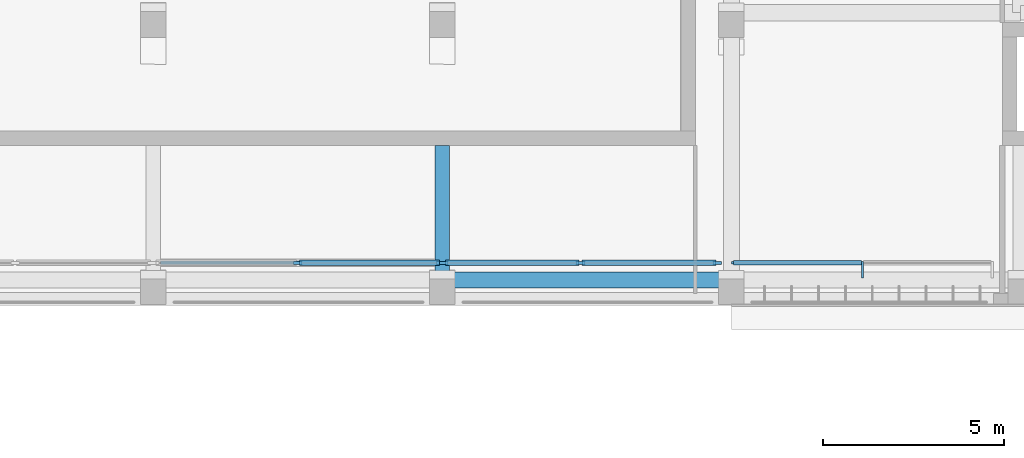
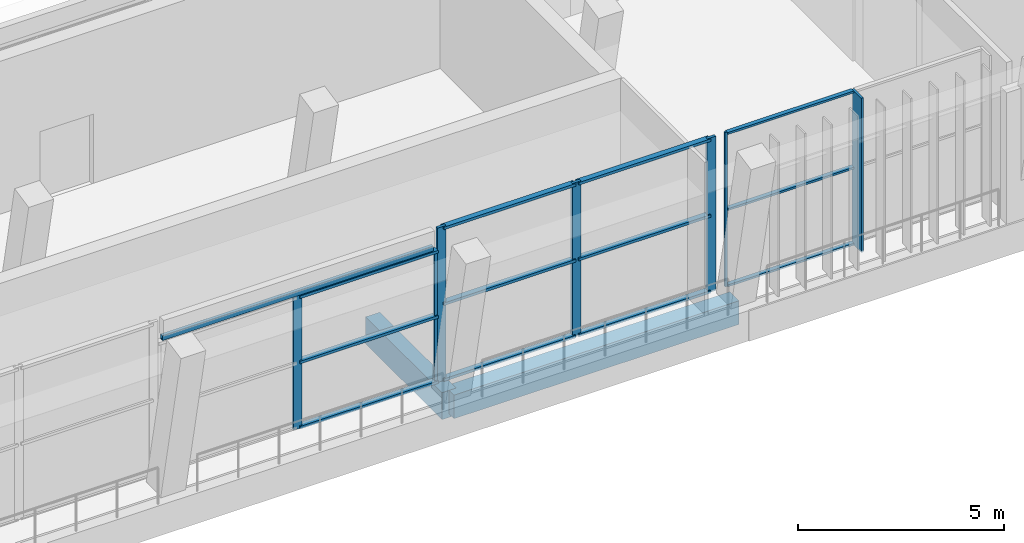
# One storey, part 7 of 74: 19 members, 3 beams, 3 elements without a shape of their own.
"""IFC4 building model written with IfcOpenShell, lengths in metres."""

from ifc_helpers import new_model, si_unit, direction, frame, origin, origin_2d, place, context, subcontext, project, spatial, rectangle, hollow_rectangle, extrude, material, material_profile, profile_set, type_object, element, aggregate, save


model = new_model("IFC4")

# Units and contexts
model_context = context("Model", 3, precision=1e-05, world=origin(), true_north=direction((0.0, 1.0)))
body_context = subcontext(model_context, "Body", "Model", "MODEL_VIEW")
ifc_project = project(units=[si_unit("LENGTHUNIT", "METRE"), si_unit("AREAUNIT", "SQUARE_METRE"), si_unit("VOLUMEUNIT", "CUBIC_METRE"), si_unit("PLANEANGLEUNIT", "RADIAN"), si_unit("MASSUNIT", "GRAM", prefix="KILO")], contexts=[model_context])

# Site, building, storey
site_placement = place(None, origin())
site = spatial("IfcSite", under=ifc_project, at=site_placement, CompositionType="ELEMENT")
building_placement = place(site_placement, origin())
building = spatial("IfcBuilding", under=site, at=building_placement, Name="Lantern Court Media Centre", CompositionType="ELEMENT")
storey_placement = place(building_placement, frame((0.0, 0.0, 19.199951171875)))
storey = spatial("IfcBuildingStorey", under=building, at=storey_placement, Name="L04", CompositionType="ELEMENT", Elevation=19.199951171875)

# Curtain wall, members
ifc_material_1 = material(Name="Curtain wall bay 3000")
curtain_wall_type_1 = type_object("IfcCurtainWallType", Name="Curtain wall bay 3000", PredefinedType="NOTDEFINED", material=ifc_material_1)
curtain_wall_1_placement = place(storey_placement, origin())
curtain_wall_1 = element("IfcCurtainWall", 1, at=curtain_wall_1_placement, inside=storey, type_object=curtain_wall_type_1, Name="Curtain wall S outer L04", PredefinedType="NOTDEFINED")
ifc_material_2 = material(Name="Anodised aluminium", Category="aluminium")
ifc_material_profile_1 = material_profile(ifc_material_2, rectangle(XDim=0.449951171875, YDim=0.06005859375, at=origin_2d()), Name="AL 60x450")
ifc_profile_set_1 = profile_set([ifc_material_profile_1], Name="Anodised aluminium")
member_type_1 = type_object("IfcMemberType", Name="Curtain wall mullion 60x450", PredefinedType="MULLION", material=ifc_profile_set_1)
member_1_placement = place(storey_placement, frame((67.625, 44.955078125, 0.0), z_axis=(0.0, 0.0, 1.0), x_axis=(0.0, 1.0, 0.0)))
member_1 = element("IfcMember", 2, at=member_1_placement, type_object=member_type_1, Name="CW1 mullion 2", PredefinedType="MULLION", context=body_context, shape_type="SweptSolid", body=[
    extrude(rectangle(XDim=0.449951171875, YDim=0.06005859375, at=origin_2d()), origin(), (0.0, 0.0, 1.0), 4.580078125),
])
ifc_material_profile_2 = material_profile(ifc_material_2, rectangle(XDim=0.06005859375, YDim=0.06005859375, at=origin_2d()), Name="AL 60x60")
ifc_profile_set_2 = profile_set([ifc_material_profile_2], Name="Anodised aluminium")
member_type_2 = type_object("IfcMemberType", Name="Curtain wall mullion 60x60", PredefinedType="MULLION", material=ifc_profile_set_2)
member_2_placement = place(storey_placement, frame((64.030029296875, 45.14990234375, 0.0), z_axis=(0.0, 0.0, 1.0), x_axis=(0.0, 1.0, 0.0)))
member_2 = element("IfcMember", 3, at=member_2_placement, type_object=member_type_2, Name="CW1 mullion 1", PredefinedType="MULLION", context=body_context, shape_type="SweptSolid", body=[
    extrude(rectangle(XDim=0.06005859375, YDim=0.06005859375, at=origin_2d()), origin(), (0.0, 0.0, 1.0), 4.580078125),
])

ifc_material_3 = material(Name="Curtain wall bay 4000")
curtain_wall_type_2 = type_object("IfcCurtainWallType", Name="Curtain wall bay 4000", PredefinedType="NOTDEFINED", material=ifc_material_3)
curtain_wall_2_placement = place(storey_placement, origin())
curtain_wall_2 = element("IfcCurtainWall", 4, at=curtain_wall_2_placement, inside=storey, type_object=curtain_wall_type_2, Name="Curtain wall S outer L04", PredefinedType="NOTDEFINED")
ifc_material_profile_3 = material_profile(ifc_material_2, rectangle(XDim=0.080078125, YDim=0.239990234375, at=origin_2d()), Name="AL 80x240")
ifc_profile_set_3 = profile_set([ifc_material_profile_3], Name="Anodised aluminium")
member_type_3 = type_object("IfcMemberType", Name="Curtain wall mullion 80x240", PredefinedType="MULLION", material=ifc_profile_set_3)
member_3_placement = place(storey_placement, frame((52.0, 45.14990234375, 0.0), z_axis=(0.0, 0.0, 1.0), x_axis=(0.0, 1.0, 0.0)))
member_3 = element("IfcMember", 5, at=member_3_placement, type_object=member_type_3, Name="CW3 mullion 2", PredefinedType="MULLION", context=body_context, shape_type="SweptSolid", body=[
    extrude(rectangle(XDim=0.080078125, YDim=0.239990234375, at=origin_2d()), origin(), (0.0, 0.0, 1.0), 3.949951171875),
])
member_4_placement = place(storey_placement, frame((55.9599609375, 45.14990234375, 0.0), z_axis=(0.0, 0.0, 1.0), x_axis=(0.0, 1.0, 0.0)))
member_4 = element("IfcMember", 6, at=member_4_placement, type_object=member_type_3, Name="CW3 mullion 3", PredefinedType="MULLION", context=body_context, shape_type="SweptSolid", body=[
    extrude(rectangle(XDim=0.080078125, YDim=0.239990234375, at=origin_2d()), origin(), (0.0, 0.0, 1.0), 3.949951171875),
])

curtain_wall_3_placement = place(storey_placement, origin())
curtain_wall_3 = element("IfcCurtainWall", 7, at=curtain_wall_3_placement, inside=storey, type_object=curtain_wall_type_2, Name="Curtain wall S outer L04", PredefinedType="NOTDEFINED")
member_5_placement = place(storey_placement, frame((56.0400390625, 45.14990234375, 0.0), z_axis=(0.0, 0.0, 1.0), x_axis=(0.0, 1.0, 0.0)))
member_5 = element("IfcMember", 8, at=member_5_placement, type_object=member_type_3, Name="CW3 mullion 1", PredefinedType="MULLION", context=body_context, shape_type="SweptSolid", body=[
    extrude(rectangle(XDim=0.080078125, YDim=0.239990234375, at=origin_2d()), origin(), (0.0, 0.0, 1.0), 4.580078125),
])
member_6_placement = place(storey_placement, frame((59.824951171875, 45.14990234375, 0.0), z_axis=(0.0, 0.0, 1.0), x_axis=(0.0, 1.0, 0.0)))
member_6 = element("IfcMember", 9, at=member_6_placement, type_object=member_type_3, Name="CW3 mullion 2", PredefinedType="MULLION", context=body_context, shape_type="SweptSolid", body=[
    extrude(rectangle(XDim=0.080078125, YDim=0.239990234375, at=origin_2d()), origin(), (0.0, 0.0, 1.0), 4.580078125),
])
member_7_placement = place(storey_placement, frame((63.610107421875, 45.14990234375, 0.0), z_axis=(0.0, 0.0, 1.0), x_axis=(0.0, 1.0, 0.0)))
member_7 = element("IfcMember", 10, at=member_7_placement, type_object=member_type_3, Name="CW3 mullion 3", PredefinedType="MULLION", context=body_context, shape_type="SweptSolid", body=[
    extrude(rectangle(XDim=0.080078125, YDim=0.239990234375, at=origin_2d()), origin(), (0.0, 0.0, 1.0), 4.580078125),
])

# Member
ifc_material_profile_4 = material_profile(ifc_material_2, rectangle(XDim=0.159912109375, YDim=0.080078125, at=origin_2d()), Name="AL 80x160")
ifc_profile_set_4 = profile_set([ifc_material_profile_4], Name="Anodised aluminium")
member_type_4 = type_object("IfcMemberType", Name="Curtain wall transom 160x80", PredefinedType="USERDEFINED", material=ifc_profile_set_4)
member_8_placement = place(storey_placement, frame((52.0400390625, 45.14990234375, 0.0400390625), z_axis=(1.0, 0.0, 0.0), x_axis=(0.0, 1.0, 0.0)))
member_8 = element("IfcMember", 11, at=member_8_placement, type_object=member_type_4, Name="CW3 transom 2.1", ObjectType="TRANSOM", PredefinedType="USERDEFINED", context=body_context, shape_type="SweptSolid", body=[
    extrude(rectangle(XDim=0.159912109375, YDim=0.080078125, at=origin_2d()), origin(), (0.0, 0.0, 1.0), 3.8798828125),
])

member_9_placement = place(storey_placement, frame((52.0400390625, 45.14990234375, 1.97509765625), z_axis=(1.0, 0.0, 0.0), x_axis=(0.0, 1.0, 0.0)))
member_9 = element("IfcMember", 12, at=member_9_placement, type_object=member_type_4, Name="CW3 transom 2.2", ObjectType="TRANSOM", PredefinedType="USERDEFINED", context=body_context, shape_type="SweptSolid", body=[
    extrude(rectangle(XDim=0.159912109375, YDim=0.080078125, at=origin_2d()), origin(), (0.0, 0.0, 1.0), 3.8798828125),
])

member_10_placement = place(storey_placement, frame((52.0400390625, 45.14990234375, 3.91015625), z_axis=(1.0, 0.0, 0.0), x_axis=(0.0, 1.0, 0.0)))
member_10 = element("IfcMember", 13, at=member_10_placement, type_object=member_type_4, Name="CW3 transom 2.3", ObjectType="TRANSOM", PredefinedType="USERDEFINED", context=body_context, shape_type="SweptSolid", body=[
    extrude(rectangle(XDim=0.159912109375, YDim=0.080078125, at=origin_2d()), origin(), (0.0, 0.0, 1.0), 3.8798828125),
])

aggregate(curtain_wall_2, [member_3, member_4, member_8, member_9, member_10])

member_11_placement = place(storey_placement, frame((56.080078125, 45.14990234375, 0.0400390625), z_axis=(1.0, 0.0, 0.0), x_axis=(0.0, 1.0, 0.0)))
member_11 = element("IfcMember", 14, at=member_11_placement, type_object=member_type_4, Name="CW3 transom 1.1", ObjectType="TRANSOM", PredefinedType="USERDEFINED", context=body_context, shape_type="SweptSolid", body=[
    extrude(rectangle(XDim=0.159912109375, YDim=0.080078125, at=origin_2d()), origin(), (0.0, 0.0, 1.0), 3.704833984375),
])

member_12_placement = place(storey_placement, frame((56.080078125, 45.14990234375, 2.2900390625), z_axis=(1.0, 0.0, 0.0), x_axis=(0.0, 1.0, 0.0)))
member_12 = element("IfcMember", 15, at=member_12_placement, type_object=member_type_4, Name="CW3 transom 1.2", ObjectType="TRANSOM", PredefinedType="USERDEFINED", context=body_context, shape_type="SweptSolid", body=[
    extrude(rectangle(XDim=0.159912109375, YDim=0.080078125, at=origin_2d()), origin(), (0.0, 0.0, 1.0), 3.704833984375),
])

member_13_placement = place(storey_placement, frame((56.080078125, 45.14990234375, 4.5400390625), z_axis=(1.0, 0.0, 0.0), x_axis=(0.0, 1.0, 0.0)))
member_13 = element("IfcMember", 16, at=member_13_placement, type_object=member_type_4, Name="CW3 transom 1.3", ObjectType="TRANSOM", PredefinedType="USERDEFINED", context=body_context, shape_type="SweptSolid", body=[
    extrude(rectangle(XDim=0.159912109375, YDim=0.080078125, at=origin_2d()), origin(), (0.0, 0.0, 1.0), 3.704833984375),
])

member_14_placement = place(storey_placement, frame((59.864990234375, 45.14990234375, 0.0400390625), z_axis=(1.0, 0.0, 0.0), x_axis=(0.0, 1.0, 0.0)))
member_14 = element("IfcMember", 17, at=member_14_placement, type_object=member_type_4, Name="CW3 transom 2.1", ObjectType="TRANSOM", PredefinedType="USERDEFINED", context=body_context, shape_type="SweptSolid", body=[
    extrude(rectangle(XDim=0.159912109375, YDim=0.080078125, at=origin_2d()), origin(), (0.0, 0.0, 1.0), 3.705078125),
])

member_15_placement = place(storey_placement, frame((59.864990234375, 45.14990234375, 2.2900390625), z_axis=(1.0, 0.0, 0.0), x_axis=(0.0, 1.0, 0.0)))
member_15 = element("IfcMember", 18, at=member_15_placement, type_object=member_type_4, Name="CW3 transom 2.2", ObjectType="TRANSOM", PredefinedType="USERDEFINED", context=body_context, shape_type="SweptSolid", body=[
    extrude(rectangle(XDim=0.159912109375, YDim=0.080078125, at=origin_2d()), origin(), (0.0, 0.0, 1.0), 3.705078125),
])

member_16_placement = place(storey_placement, frame((59.864990234375, 45.14990234375, 4.5400390625), z_axis=(1.0, 0.0, 0.0), x_axis=(0.0, 1.0, 0.0)))
member_16 = element("IfcMember", 19, at=member_16_placement, type_object=member_type_4, Name="CW3 transom 2.3", ObjectType="TRANSOM", PredefinedType="USERDEFINED", context=body_context, shape_type="SweptSolid", body=[
    extrude(rectangle(XDim=0.159912109375, YDim=0.080078125, at=origin_2d()), origin(), (0.0, 0.0, 1.0), 3.705078125),
])

aggregate(curtain_wall_3, [member_5, member_6, member_7, member_11, member_12, member_13, member_14, member_15, member_16])

ifc_material_profile_5 = material_profile(ifc_material_2, rectangle(XDim=0.1201171875, YDim=0.06005859375, at=origin_2d()), Name="AL 60x120")
ifc_profile_set_5 = profile_set([ifc_material_profile_5], Name="Anodised aluminium")
member_type_5 = type_object("IfcMemberType", Name="Curtain wall transom 60x120", PredefinedType="USERDEFINED", material=ifc_profile_set_5)
member_17_placement = place(storey_placement, frame((64.06005859375, 45.14990234375, 0.030029296875), z_axis=(1.0, 0.0, 0.0), x_axis=(0.0, 1.0, 0.0)))
member_17 = element("IfcMember", 20, at=member_17_placement, type_object=member_type_5, Name="CW1 transom 1.1", ObjectType="TRANSOM", PredefinedType="USERDEFINED", context=body_context, shape_type="SweptSolid", body=[
    extrude(rectangle(XDim=0.1201171875, YDim=0.06005859375, at=origin_2d()), origin(), (0.0, 0.0, 1.0), 3.534912109375),
])

member_18_placement = place(storey_placement, frame((64.06005859375, 45.14990234375, 2.2900390625), z_axis=(1.0, 0.0, 0.0), x_axis=(0.0, 1.0, 0.0)))
member_18 = element("IfcMember", 21, at=member_18_placement, type_object=member_type_5, Name="CW1 transom 1.2", ObjectType="TRANSOM", PredefinedType="USERDEFINED", context=body_context, shape_type="SweptSolid", body=[
    extrude(rectangle(XDim=0.1201171875, YDim=0.06005859375, at=origin_2d()), origin(), (0.0, 0.0, 1.0), 3.534912109375),
])

member_19_placement = place(storey_placement, frame((64.06005859375, 45.14990234375, 4.550048828125), z_axis=(1.0, 0.0, 0.0), x_axis=(0.0, 1.0, 0.0)))
member_19 = element("IfcMember", 22, at=member_19_placement, type_object=member_type_5, Name="CW1 transom 1.3", ObjectType="TRANSOM", PredefinedType="USERDEFINED", context=body_context, shape_type="SweptSolid", body=[
    extrude(rectangle(XDim=0.1201171875, YDim=0.06005859375, at=origin_2d()), origin(), (0.0, 0.0, 1.0), 3.534912109375),
])

aggregate(curtain_wall_1, [member_2, member_1, member_17, member_18, member_19])

# Beams
ifc_material_4 = material(Name="Steel S355J2 (EN 10025-2)", Category="steel")
ifc_material_profile_6 = material_profile(ifc_material_4, hollow_rectangle(XDim=0.10009765625, YDim=0.14990234375, WallThickness=0.00634765625, InnerFilletRadius=0.00634765625, OuterFilletRadius=0.009521484375, at=origin_2d()), Name="Facade head lintel RHS 150x100x6.3")
ifc_profile_set_6 = profile_set([ifc_material_profile_6], Name="Steel S355J2 (EN 10025-2)")
beam_type_1 = type_object("IfcBeamType", Name="Facade head lintel RHS 150x100x6.3", PredefinedType="BEAM", material=ifc_profile_set_6)
beam_1_placement = place(storey_placement, frame((48.199951171875, 45.14990234375, 4.025146484375), z_axis=(1.0, 0.0, 0.0), x_axis=(0.0, 1.0, 0.0)))
element("IfcBeam", 23, at=beam_1_placement, inside=storey, type_object=beam_type_1, Name="Facade head lintel S L04", PredefinedType="BEAM", context=body_context, shape_type="SweptSolid", body=[
    extrude(hollow_rectangle(XDim=0.10009765625, YDim=0.14990234375, WallThickness=0.00634765625, InnerFilletRadius=0.00634765625, OuterFilletRadius=0.009521484375, at=origin_2d()), origin(), (0.0, 0.0, 1.0), 7.60009765625),
])
ifc_material_5 = material(Name="Concrete C35", Category="concrete")
ifc_material_profile_7 = material_profile(ifc_material_5, rectangle(XDim=0.39990234375, YDim=0.800048828125, at=origin_2d()), Name="RC 400x800")
ifc_profile_set_7 = profile_set([ifc_material_profile_7], Name="Concrete C35")
beam_type_2 = type_object("IfcBeamType", Name="RC BEAM 400x800", PredefinedType="BEAM", material=ifc_profile_set_7)
beam_2_placement = place(storey_placement, frame((56.0, 44.683349609375, -0.39990234375), z_axis=(0.0, 1.0, 0.0), x_axis=(-1.0, 0.0, 0.0)))
element("IfcBeam", 24, at=beam_2_placement, inside=storey, type_object=beam_type_2, Name="TB-S-L04-4-1", PredefinedType="BEAM", context=body_context, shape_type="SweptSolid", body=[
    extrude(rectangle(XDim=0.39990234375, YDim=0.800048828125, at=origin_2d()), origin(), (0.0, 0.0, 1.0), 3.716552734375),
])
ifc_material_profile_8 = material_profile(ifc_material_5, rectangle(XDim=0.449951171875, YDim=0.699951171875, at=origin_2d()), Name="RC 450x700")
ifc_profile_set_8 = profile_set([ifc_material_profile_8], Name="Concrete C35")
beam_type_3 = type_object("IfcBeamType", Name="RC BEAM 450x700", PredefinedType="BEAM", material=ifc_profile_set_8)
beam_3_placement = place(storey_placement, frame((56.0, 44.6728515625, -0.349853515625), z_axis=(1.0, 0.0, 0.0), x_axis=(0.0, 1.0, 0.0)))
element("IfcBeam", 25, at=beam_3_placement, inside=storey, type_object=beam_type_3, Name="LB-S-L04-0-4", PredefinedType="BEAM", context=body_context, shape_type="SweptSolid", body=[
    extrude(rectangle(XDim=0.449951171875, YDim=0.699951171875, at=origin_2d()), origin(), (0.0, 0.0, 1.0), 8.0),
])

save(model, "model.ifc")
